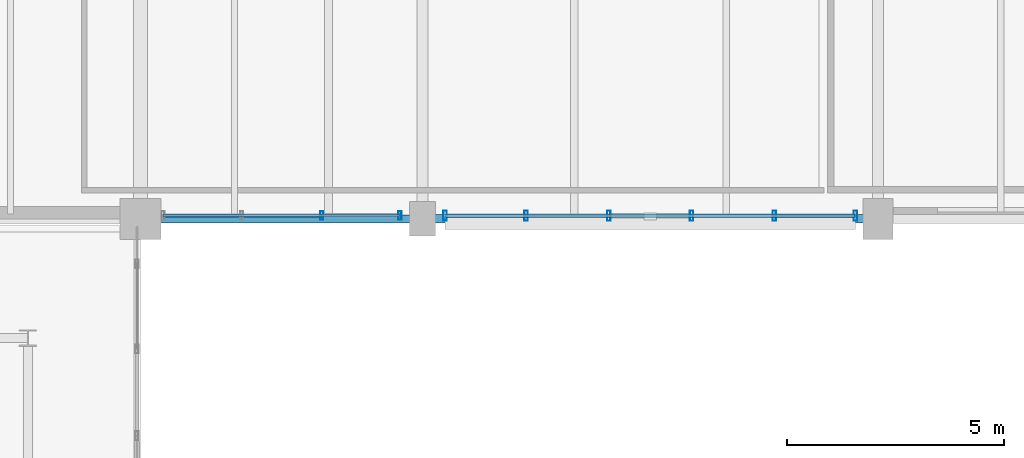
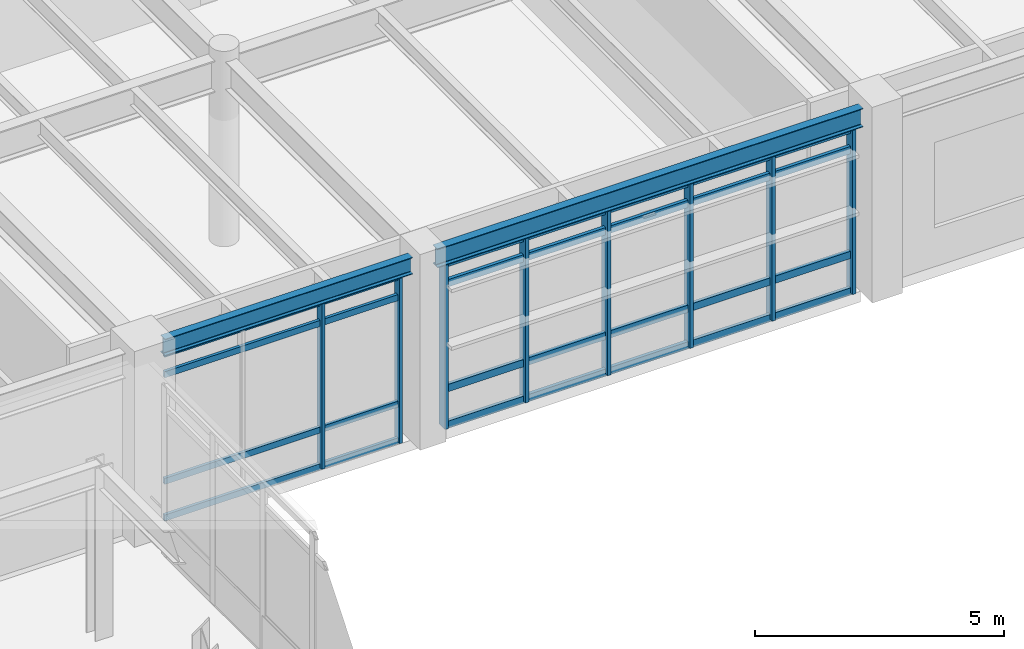
# One storey, part 136 of 200: 16 members, 2 beams, 2 elements without a shape of their own.
"""IFC4 building model written with IfcOpenShell, lengths in metres."""

from ifc_helpers import new_model, si_unit, direction, frame, origin, origin_2d, place, context, subcontext, project, spatial, hollow_rectangle, i_section, extrude, material, material_profile, profile_set, type_object, element, aggregate, save


model = new_model("IFC4")

# Units and contexts
model_context = context("Model", 3, precision=1e-05, world=origin(), true_north=direction((0.0, 1.0)))
body_context = subcontext(model_context, "Body", "Model", "MODEL_VIEW")
ifc_project = project(units=[si_unit("LENGTHUNIT", "METRE"), si_unit("AREAUNIT", "SQUARE_METRE"), si_unit("VOLUMEUNIT", "CUBIC_METRE"), si_unit("PLANEANGLEUNIT", "RADIAN"), si_unit("MASSUNIT", "GRAM", prefix="KILO"), si_unit("THERMODYNAMICTEMPERATUREUNIT", "KELVIN"), si_unit("POWERUNIT", "WATT")], contexts=[model_context])

# Site, building, storey
site_placement = place(None, origin())
site = spatial("IfcSite", under=ifc_project, at=site_placement, CompositionType="ELEMENT")
building_placement = place(site_placement, origin())
building = spatial("IfcBuilding", under=site, at=building_placement, Name="Tepalcoro Natatorium and Aquatics Centre", CompositionType="ELEMENT")
storey_placement = place(building_placement, frame((0.0, 0.0, 5.39990234375)))
storey = spatial("IfcBuildingStorey", under=building, at=storey_placement, Name="L01", CompositionType="ELEMENT", Elevation=5.39990234375)

# Curtain wall, members
ifc_material_1 = material(Name="Bronze-Anodised Extruded Aluminium Alloy EN AW-6063 T6", Category="aluminium")
curtain_wall_type_1 = type_object("IfcCurtainWallType", Name="CW_V5_LOWER", PredefinedType="USERDEFINED", material=ifc_material_1)
curtain_wall_1_placement = place(storey_placement, origin())
curtain_wall_1 = element("IfcCurtainWall", 1, at=curtain_wall_1_placement, inside=storey, type_object=curtain_wall_type_1, Name="V5 L01 S Unitised Curtain Wall Bay 4", ObjectType="UNITISED STOREFRONT", PredefinedType="USERDEFINED")
ifc_material_profile_1 = material_profile(ifc_material_1, hollow_rectangle(XDim=0.070068359375, YDim=0.199951171875, WallThickness=0.0048828125, at=origin_2d()), Name="AL70X200X5")
ifc_profile_set_1 = profile_set([ifc_material_profile_1], Name="Bronze-Anodised Extruded Aluminium Alloy EN AW-6063 T6")
member_type_1 = type_object("IfcMemberType", Name="CW_MUL_70x200", PredefinedType="MULLION", material=ifc_profile_set_1)
member_1_placement = place(storey_placement, frame((129.17333984375, 86.080078125, 0.02001953125), z_axis=(0.0, 0.0, 1.0), x_axis=(1.0, 0.0, 0.0)))
member_1 = element("IfcMember", 2, at=member_1_placement, type_object=member_type_1, Name="CW_V5_LOWER Curtain Wall Mullion", PredefinedType="MULLION", context=body_context, shape_type="SweptSolid", body=[
    extrude(hollow_rectangle(XDim=0.070068359375, YDim=0.199951171875, WallThickness=0.0048828125, at=origin_2d()), origin(), (0.0, 0.0, 1.0), 4.0771484375),
])
member_2_placement = place(storey_placement, frame((130.97998046875, 86.080078125, 0.02001953125), z_axis=(0.0, 0.0, 1.0), x_axis=(1.0, 0.0, 0.0)))
member_2 = element("IfcMember", 3, at=member_2_placement, type_object=member_type_1, Name="CW_V5_LOWER Curtain Wall Mullion", PredefinedType="MULLION", context=body_context, shape_type="SweptSolid", body=[
    extrude(hollow_rectangle(XDim=0.070068359375, YDim=0.199951171875, WallThickness=0.0048828125, at=origin_2d()), origin(), (0.0, 0.0, 1.0), 4.0771484375),
])

curtain_wall_type_2 = type_object("IfcCurtainWallType", Name="CW_V5_UPPER", PredefinedType="USERDEFINED", material=ifc_material_1)
curtain_wall_2_placement = place(storey_placement, origin())
curtain_wall_2 = element("IfcCurtainWall", 4, at=curtain_wall_2_placement, inside=storey, type_object=curtain_wall_type_2, Name="V5 L01 S Unitised Curtain Wall Bay 5", ObjectType="FACETED SOLAR GLAZING", PredefinedType="USERDEFINED")
ifc_material_profile_2 = material_profile(ifc_material_1, hollow_rectangle(XDim=0.080078125, YDim=0.239990234375, WallThickness=0.0048828125, at=origin_2d()), Name="AL80X240X5")
ifc_profile_set_2 = profile_set([ifc_material_profile_2], Name="Bronze-Anodised Extruded Aluminium Alloy EN AW-6063 T6")
member_type_2 = type_object("IfcMemberType", Name="CW_MUL_80x240", PredefinedType="MULLION", material=ifc_profile_set_2)
member_3_placement = place(storey_placement, frame((132.02001953125, 86.0712890625, 0.02001953125), z_axis=(0.0, 0.0, 1.0), x_axis=(1.0, 0.0, 0.0)))
member_3 = element("IfcMember", 5, at=member_3_placement, type_object=member_type_2, Name="CW_V5_UPPER Curtain Wall Mullion", PredefinedType="MULLION", context=body_context, shape_type="SweptSolid", body=[
    extrude(hollow_rectangle(XDim=0.080078125, YDim=0.239990234375, WallThickness=0.0048828125, at=origin_2d()), origin(), (0.0, 0.0, 1.0), 4.030029296875),
])
member_4_placement = place(storey_placement, frame((133.887939453125, 86.0712890625, 0.02001953125), z_axis=(0.0, 0.0, 1.0), x_axis=(1.0, 0.0, 0.0)))
member_4 = element("IfcMember", 6, at=member_4_placement, type_object=member_type_2, Name="CW_V5_UPPER Curtain Wall Mullion", PredefinedType="MULLION", context=body_context, shape_type="SweptSolid", body=[
    extrude(hollow_rectangle(XDim=0.080078125, YDim=0.239990234375, WallThickness=0.0048828125, at=origin_2d()), origin(), (0.0, 0.0, 1.0), 4.030029296875),
])
member_5_placement = place(storey_placement, frame((135.7958984375, 86.0712890625, 0.02001953125), z_axis=(0.0, 0.0, 1.0), x_axis=(1.0, 0.0, 0.0)))
member_5 = element("IfcMember", 7, at=member_5_placement, type_object=member_type_2, Name="CW_V5_UPPER Curtain Wall Mullion", PredefinedType="MULLION", context=body_context, shape_type="SweptSolid", body=[
    extrude(hollow_rectangle(XDim=0.080078125, YDim=0.239990234375, WallThickness=0.0048828125, at=origin_2d()), origin(), (0.0, 0.0, 1.0), 4.030029296875),
])
member_6_placement = place(storey_placement, frame((137.7041015625, 86.0712890625, 0.02001953125), z_axis=(0.0, 0.0, 1.0), x_axis=(1.0, 0.0, 0.0)))
member_6 = element("IfcMember", 8, at=member_6_placement, type_object=member_type_2, Name="CW_V5_UPPER Curtain Wall Mullion", PredefinedType="MULLION", context=body_context, shape_type="SweptSolid", body=[
    extrude(hollow_rectangle(XDim=0.080078125, YDim=0.239990234375, WallThickness=0.0048828125, at=origin_2d()), origin(), (0.0, 0.0, 1.0), 4.030029296875),
])
member_7_placement = place(storey_placement, frame((139.612060546875, 86.0712890625, 0.02001953125), z_axis=(0.0, 0.0, 1.0), x_axis=(1.0, 0.0, 0.0)))
member_7 = element("IfcMember", 9, at=member_7_placement, type_object=member_type_2, Name="CW_V5_UPPER Curtain Wall Mullion", PredefinedType="MULLION", context=body_context, shape_type="SweptSolid", body=[
    extrude(hollow_rectangle(XDim=0.080078125, YDim=0.239990234375, WallThickness=0.0048828125, at=origin_2d()), origin(), (0.0, 0.0, 1.0), 4.030029296875),
])
member_8_placement = place(storey_placement, frame((141.47998046875, 86.0712890625, 0.02001953125), z_axis=(0.0, 0.0, 1.0), x_axis=(1.0, 0.0, 0.0)))
member_8 = element("IfcMember", 10, at=member_8_placement, type_object=member_type_2, Name="CW_V5_UPPER Curtain Wall Mullion", PredefinedType="MULLION", context=body_context, shape_type="SweptSolid", body=[
    extrude(hollow_rectangle(XDim=0.080078125, YDim=0.239990234375, WallThickness=0.0048828125, at=origin_2d()), origin(), (0.0, 0.0, 1.0), 4.030029296875),
])

# Member
ifc_material_profile_3 = material_profile(ifc_material_1, hollow_rectangle(XDim=0.070068359375, YDim=0.14990234375, WallThickness=0.00390625, at=origin_2d()), Name="AL70X150X4")
ifc_profile_set_3 = profile_set([ifc_material_profile_3], Name="Bronze-Anodised Extruded Aluminium Alloy EN AW-6063 T6")
member_type_3 = type_object("IfcMemberType", Name="CW_TRN_70x150", PredefinedType="USERDEFINED", material=ifc_profile_set_3)
member_9_placement = place(storey_placement, frame((125.530029296875, 86.080078125, 0.050048828125), z_axis=(1.0, 0.0, 0.0), x_axis=(0.0, 1.0, 0.0)))
member_9 = element("IfcMember", 11, at=member_9_placement, type_object=member_type_3, Name="CW_V5_LOWER Curtain Wall Transom", ObjectType="TRANSOM", PredefinedType="USERDEFINED", context=body_context, shape_type="SweptSolid", body=[
    extrude(hollow_rectangle(XDim=0.070068359375, YDim=0.14990234375, WallThickness=0.00390625, at=origin_2d()), origin(), (0.0, 0.0, 1.0), 5.43994140625),
])

member_10_placement = place(storey_placement, frame((125.530029296875, 86.080078125, 0.9501953125), z_axis=(1.0, 0.0, 0.0), x_axis=(0.0, 1.0, 0.0)))
member_10 = element("IfcMember", 12, at=member_10_placement, type_object=member_type_3, Name="CW_V5_LOWER Curtain Wall Transom", ObjectType="TRANSOM", PredefinedType="USERDEFINED", context=body_context, shape_type="SweptSolid", body=[
    extrude(hollow_rectangle(XDim=0.070068359375, YDim=0.14990234375, WallThickness=0.00390625, at=origin_2d()), origin(), (0.0, 0.0, 1.0), 5.43994140625),
])

member_11_placement = place(storey_placement, frame((125.530029296875, 86.080078125, 3.567138671875), z_axis=(1.0, 0.0, 0.0), x_axis=(0.0, 1.0, 0.0)))
member_11 = element("IfcMember", 13, at=member_11_placement, type_object=member_type_3, Name="CW_V5_LOWER Curtain Wall Transom", ObjectType="TRANSOM", PredefinedType="USERDEFINED", context=body_context, shape_type="SweptSolid", body=[
    extrude(hollow_rectangle(XDim=0.070068359375, YDim=0.14990234375, WallThickness=0.00390625, at=origin_2d()), origin(), (0.0, 0.0, 1.0), 5.43994140625),
])

member_12_placement = place(storey_placement, frame((125.530029296875, 86.080078125, 4.067138671875), z_axis=(1.0, 0.0, 0.0), x_axis=(0.0, 1.0, 0.0)))
member_12 = element("IfcMember", 14, at=member_12_placement, type_object=member_type_3, Name="CW_V5_LOWER Curtain Wall Transom", ObjectType="TRANSOM", PredefinedType="USERDEFINED", context=body_context, shape_type="SweptSolid", body=[
    extrude(hollow_rectangle(XDim=0.070068359375, YDim=0.14990234375, WallThickness=0.00390625, at=origin_2d()), origin(), (0.0, 0.0, 1.0), 5.43994140625),
])

aggregate(curtain_wall_1, [member_1, member_2, member_9, member_10, member_11, member_12])

ifc_material_profile_4 = material_profile(ifc_material_1, hollow_rectangle(XDim=0.080078125, YDim=0.179931640625, WallThickness=0.0048828125, at=origin_2d()), Name="AL80X180X5")
ifc_profile_set_4 = profile_set([ifc_material_profile_4], Name="Bronze-Anodised Extruded Aluminium Alloy EN AW-6063 T6")
member_type_4 = type_object("IfcMemberType", Name="CW_TRN_80x180", PredefinedType="USERDEFINED", material=ifc_profile_set_4)
member_13_placement = place(storey_placement, frame((132.030029296875, 86.0712890625, 0.050048828125), z_axis=(1.0, 0.0, 0.0), x_axis=(0.0, 1.0, 0.0)))
member_13 = element("IfcMember", 15, at=member_13_placement, type_object=member_type_4, Name="CW_V5_UPPER Curtain Wall Transom", ObjectType="TRANSOM", PredefinedType="USERDEFINED", context=body_context, shape_type="SweptSolid", body=[
    extrude(hollow_rectangle(XDim=0.080078125, YDim=0.179931640625, WallThickness=0.0048828125, at=origin_2d()), origin(), (0.0, 0.0, 1.0), 9.43994140625),
])

member_14_placement = place(storey_placement, frame((132.030029296875, 86.0712890625, 0.9501953125), z_axis=(1.0, 0.0, 0.0), x_axis=(0.0, 1.0, 0.0)))
member_14 = element("IfcMember", 16, at=member_14_placement, type_object=member_type_4, Name="CW_V5_UPPER Curtain Wall Transom", ObjectType="TRANSOM", PredefinedType="USERDEFINED", context=body_context, shape_type="SweptSolid", body=[
    extrude(hollow_rectangle(XDim=0.080078125, YDim=0.179931640625, WallThickness=0.0048828125, at=origin_2d()), origin(), (0.0, 0.0, 1.0), 9.43994140625),
])

member_15_placement = place(storey_placement, frame((132.030029296875, 86.0712890625, 3.52001953125), z_axis=(1.0, 0.0, 0.0), x_axis=(0.0, 1.0, 0.0)))
member_15 = element("IfcMember", 17, at=member_15_placement, type_object=member_type_4, Name="CW_V5_UPPER Curtain Wall Transom", ObjectType="TRANSOM", PredefinedType="USERDEFINED", context=body_context, shape_type="SweptSolid", body=[
    extrude(hollow_rectangle(XDim=0.080078125, YDim=0.179931640625, WallThickness=0.0048828125, at=origin_2d()), origin(), (0.0, 0.0, 1.0), 9.43994140625),
])

member_16_placement = place(storey_placement, frame((132.030029296875, 86.0712890625, 4.02001953125), z_axis=(1.0, 0.0, 0.0), x_axis=(0.0, 1.0, 0.0)))
member_16 = element("IfcMember", 18, at=member_16_placement, type_object=member_type_4, Name="CW_V5_UPPER Curtain Wall Transom", ObjectType="TRANSOM", PredefinedType="USERDEFINED", context=body_context, shape_type="SweptSolid", body=[
    extrude(hollow_rectangle(XDim=0.080078125, YDim=0.179931640625, WallThickness=0.0048828125, at=origin_2d()), origin(), (0.0, 0.0, 1.0), 9.43994140625),
])

aggregate(curtain_wall_2, [member_3, member_4, member_5, member_6, member_7, member_8, member_13, member_14, member_15, member_16])

# Beams
ifc_material_2 = material(Name="Steel ASTM A992 Grade 50 (Fy 345 MPa)", Category="steel")
ifc_material_profile_5 = material_profile(ifc_material_2, i_section(OverallWidth=0.179931640625, OverallDepth=0.4130859375, WebThickness=0.010009765625, FlangeThickness=0.01611328125, FilletRadius=0.013916015625, at=origin_2d()), Name="W16X50")
ifc_profile_set_5 = profile_set([ifc_material_profile_5], Name="Steel ASTM A992 Grade 50 (Fy 345 MPa)")
beam_type_1 = type_object("IfcBeamType", Name="SP_HSS300x200x12", PredefinedType="SPANDREL", material=ifc_profile_set_5)
beam_1_placement = place(storey_placement, frame((125.4599609375, 86.0, 4.338623046875), z_axis=(1.0, 0.0, 0.0), x_axis=(0.0, 1.0, 0.0)))
element("IfcBeam", 19, at=beam_1_placement, inside=storey, type_object=beam_type_1, Name="V5 L01 Grid Girder X", PredefinedType="SPANDREL", context=body_context, shape_type="SweptSolid", body=[
    extrude(i_section(OverallWidth=0.179931640625, OverallDepth=0.4130859375, WebThickness=0.010009765625, FlangeThickness=0.01611328125, FilletRadius=0.013916015625, at=origin_2d()), origin(), (0.0, 0.0, 1.0), 5.755126953125),
])
ifc_material_profile_6 = material_profile(ifc_material_2, i_section(OverallWidth=0.19091796875, OverallDepth=0.4599609375, WebThickness=0.010009765625, FlangeThickness=0.01611328125, FilletRadius=0.013916015625, at=origin_2d()), Name="W18X55")
ifc_profile_set_6 = profile_set([ifc_material_profile_6], Name="Steel ASTM A992 Grade 50 (Fy 345 MPa)")
beam_type_2 = type_object("IfcBeamType", Name="SP_W18x55", PredefinedType="SPANDREL", material=ifc_profile_set_6)
beam_2_placement = place(storey_placement, frame((131.784912109375, 86.0, 4.315185546875), z_axis=(1.0, 0.0, 0.0), x_axis=(0.0, 1.0, 0.0)))
element("IfcBeam", 20, at=beam_2_placement, inside=storey, type_object=beam_type_2, Name="V5 L01 Grid Girder X", PredefinedType="SPANDREL", context=body_context, shape_type="SweptSolid", body=[
    extrude(i_section(OverallWidth=0.19091796875, OverallDepth=0.4599609375, WebThickness=0.010009765625, FlangeThickness=0.01611328125, FilletRadius=0.013916015625, at=origin_2d()), origin(), (0.0, 0.0, 1.0), 9.880126953125),
])

save(model, "model.ifc")
